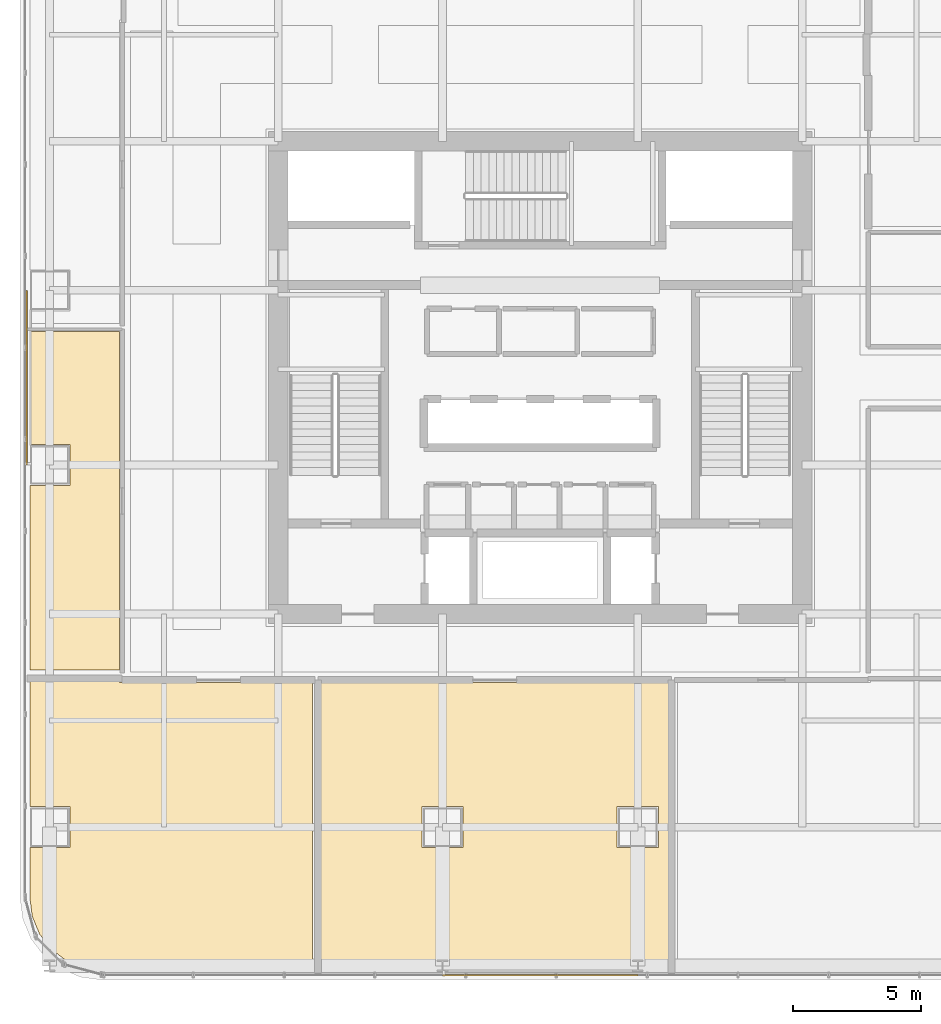
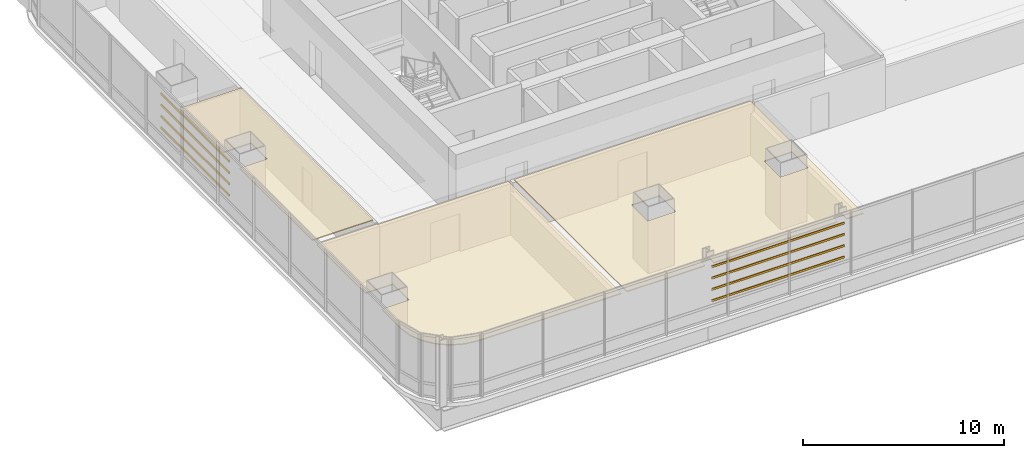
# One storey, part 31 of 34: 8 shading devices, 3 coverings.
"""IFC4 building model written with IfcOpenShell, lengths in metres."""

from ifc_helpers import new_model, si_unit, direction, frame, origin, origin_2d, place, context, subcontext, project, spatial, polyline, hollow_rectangle, outline, extrude, material, layer, layer_set, material_profile, profile_set, type_object, element, save


model = new_model("IFC4")

# Units and contexts
model_context = context("Model", 3, precision=1e-05, world=origin(), true_north=direction((0.0, 1.0)))
body_context = subcontext(model_context, "Body", "Model", "MODEL_VIEW")
ifc_project = project(units=[si_unit("LENGTHUNIT", "METRE"), si_unit("AREAUNIT", "SQUARE_METRE"), si_unit("VOLUMEUNIT", "CUBIC_METRE"), si_unit("PLANEANGLEUNIT", "RADIAN"), si_unit("MASSUNIT", "GRAM", prefix="KILO")], contexts=[model_context])

# Site, building, storey
site_placement = place(None, origin())
site = spatial("IfcSite", under=ifc_project, at=site_placement, CompositionType="ELEMENT")
building_placement = place(site_placement, origin())
building = spatial("IfcBuilding", under=site, at=building_placement, Name="Punatoya Terracotta Tower", CompositionType="ELEMENT")
storey_placement = place(building_placement, frame((0.0, 0.0, 80.85009765625)))
storey = spatial("IfcBuildingStorey", under=building, at=storey_placement, Name="L18", CompositionType="ELEMENT", Elevation=80.85009765625)

# Coverings
ifc_material_1 = material(Name="Acoustic Mineral Fibre Ceiling")
ifc_layer = layer(ifc_material_1, 0.06005859375)
ifc_layer_set = layer_set([ifc_layer], Name="Acoustic Mineral Fibre Ceiling")
covering_type = type_object("IfcCoveringType", Name="COV-CEIL-60", PredefinedType="CEILING", material=ifc_layer_set)
covering_1_placement = place(storey_placement, frame((0.0, 0.0, 3.199951171875)))
element("IfcCovering", 1, at=covering_1_placement, inside=storey, type_object=covering_type, Name="L18 Client Dining Salon Acoustic Ceiling", PredefinedType="CEILING", context=body_context, shape_type="SweptSolid", body=[
    extrude(outline(polyline([(5.01806640625, -11.8701171875), (-8.552001953125, -11.8701171875), (-8.552001953125, -23.070068359375), (-4.05810546875, -23.070068359375), (-4.05810546875, -22.626953125), (-3.5419921875, -22.626953125), (-3.5419921875, -23.070068359375), (3.5419921875, -23.070068359375), (3.5419921875, -22.626953125), (4.05810546875, -22.626953125), (4.05810546875, -23.070068359375), (5.01806640625, -23.070068359375), (5.01806640625, -11.8701171875)]), holes=[polyline([(4.60009765625, -16.699951171875), (4.60009765625, -18.300048828125), (3.0, -18.300048828125), (3.0, -16.699951171875), (4.60009765625, -16.699951171875)]), polyline([(-4.60009765625, -16.699951171875), (-3.0, -16.699951171875), (-3.0, -18.300048828125), (-4.60009765625, -18.300048828125), (-4.60009765625, -16.699951171875)])]), origin(), (0.0, 0.0, 1.0), 0.06005859375),
])
covering_2_placement = place(storey_placement, frame((0.0, 0.0, 3.199951171875)))
element("IfcCovering", 2, at=covering_2_placement, inside=storey, type_object=covering_type, Name="L18 Open-Plan Executive Bistro Lounge Acoustic Ceiling", PredefinedType="CEILING", context=body_context, shape_type="SweptSolid", body=[
    extrude(outline(polyline([(-19.8701171875, -18.300048828125), (-19.8701171875, -20.22509765625), (-19.770751953125, -20.97900390625), (-19.489501953125, -21.658203125), (-19.041748046875, -22.24169921875), (-18.458251953125, -22.689453125), (-17.779052734375, -22.970703125), (-17.025146484375, -23.070068359375), (-8.8720703125, -23.070068359375), (-8.8720703125, -11.8701171875), (-16.3701171875, -11.8701171875), (-16.3701171875, -11.81005859375), (-19.8701171875, -11.81005859375), (-19.8701171875, -16.699951171875), (-18.300048828125, -16.699951171875), (-18.300048828125, -18.300048828125), (-19.8701171875, -18.300048828125)])), origin(), (0.0, 0.0, 1.0), 0.06005859375),
])
covering_3_placement = place(storey_placement, frame((0.0, 0.0, 3.199951171875)))
element("IfcCovering", 3, at=covering_3_placement, inside=storey, type_object=covering_type, Name="L18 Open-Plan Private Dining Boardroom Acoustic Ceiling", PredefinedType="CEILING", context=body_context, shape_type="SweptSolid", body=[
    extrude(outline(polyline([(-19.8701171875, -4.199951171875), (-19.8701171875, -11.389892578125), (-16.3701171875, -11.389892578125), (-16.3701171875, 1.7900390625), (-19.8701171875, 1.7900390625), (-19.8701171875, -2.60009765625), (-18.300048828125, -2.60009765625), (-18.300048828125, -4.199951171875), (-19.8701171875, -4.199951171875)])), origin(), (0.0, 0.0, 1.0), 0.06005859375),
])

# Shading devices
ifc_material_2 = material(Name="Architectural Fired Terracotta", Category="masonry")
ifc_material_profile = material_profile(ifc_material_2, hollow_rectangle(XDim=0.06494140625, YDim=0.1201171875, WallThickness=0.014892578125, at=origin_2d()))
ifc_profile_set = profile_set([ifc_material_profile], Name="Architectural Fired Terracotta")
shading_device_type = type_object("IfcShadingDeviceType", Name="SHD-BAG-120", PredefinedType="USERDEFINED", material=ifc_profile_set)
for number, where, z_axis, x_axis, name in (
    (4, (-3.800048828125, -23.262939453125, 1.14990234375), (1.0, 0.0, 0.0), (0.0, 1.0, 0.0), "L18 Fired Terracotta Baguette Louvre BAG-L18-S-01"),
    (5, (-3.800048828125, -23.262939453125, 1.836669921875), (1.0, 0.0, 0.0), (0.0, 1.0, 0.0), "L18 Fired Terracotta Baguette Louvre BAG-L18-S-02"),
    (6, (-3.800048828125, -23.262939453125, 2.523193359375), (1.0, 0.0, 0.0), (0.0, 1.0, 0.0), "L18 Fired Terracotta Baguette Louvre BAG-L18-S-03"),
    (7, (-3.800048828125, -23.262939453125, 3.2099609375), (1.0, 0.0, 0.0), (0.0, 1.0, 0.0), "L18 Fired Terracotta Baguette Louvre BAG-L18-S-04"),
):
    element("IfcShadingDevice", number, at=place(storey_placement, frame(where, z_axis=z_axis, x_axis=x_axis)), inside=storey, type_object=shading_device_type, Name=name, ObjectType="BAGUETTE", PredefinedType="USERDEFINED", context=body_context, shape_type="SweptSolid", body=[
        extrude(hollow_rectangle(XDim=0.06494140625, YDim=0.1201171875, WallThickness=0.014892578125, at=origin_2d()), origin(), (0.0, 0.0, 1.0), 7.60009765625),
    ])
for number, where, z_axis, x_axis, name in (
    (8, (-19.989990234375, -3.39990234375, 1.14990234375), (0.0, 1.0, 0.0), (-1.0, 0.0, 0.0), "L18 Fired Terracotta Baguette Louvre BAG-L18-W-01"),
    (9, (-19.989990234375, -3.39990234375, 1.836669921875), (0.0, 1.0, 0.0), (-1.0, 0.0, 0.0), "L18 Fired Terracotta Baguette Louvre BAG-L18-W-02"),
    (10, (-19.989990234375, -3.39990234375, 2.523193359375), (0.0, 1.0, 0.0), (-1.0, 0.0, 0.0), "L18 Fired Terracotta Baguette Louvre BAG-L18-W-03"),
    (11, (-19.989990234375, -3.39990234375, 3.2099609375), (0.0, 1.0, 0.0), (-1.0, 0.0, 0.0), "L18 Fired Terracotta Baguette Louvre BAG-L18-W-04"),
):
    element("IfcShadingDevice", number, at=place(storey_placement, frame(where, z_axis=z_axis, x_axis=x_axis)), inside=storey, type_object=shading_device_type, Name=name, ObjectType="BAGUETTE", PredefinedType="USERDEFINED", context=body_context, shape_type="SweptSolid", body=[
        extrude(hollow_rectangle(XDim=0.06494140625, YDim=0.1201171875, WallThickness=0.014892578125, at=origin_2d()), origin(), (0.0, 0.0, 1.0), 6.7998046875),
    ])

save(model, "model.ifc")
